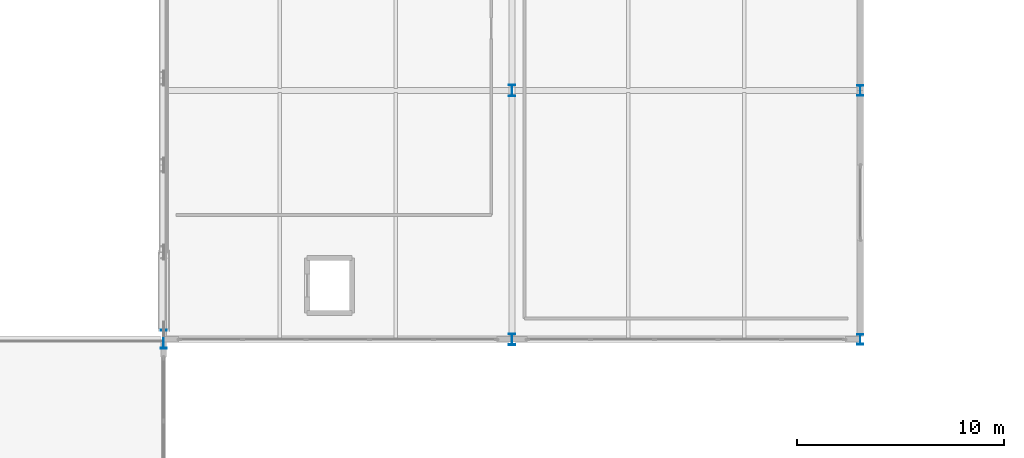
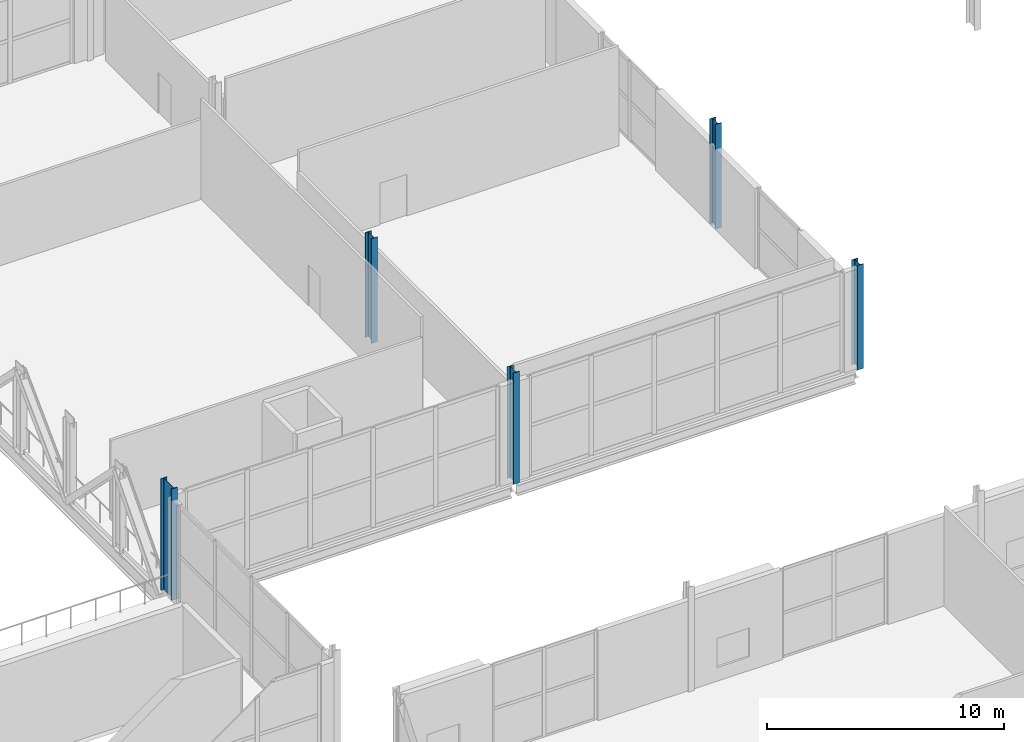
# One storey, part 11 of 84: 5 columns.
"""IFC4 building model written with IfcOpenShell, lengths in metres."""

from ifc_helpers import new_model, si_unit, direction, frame, origin, origin_2d, place, context, subcontext, project, spatial, i_section, extrude, material, material_profile, profile_set, type_object, element, save


model = new_model("IFC4")

# Units and contexts
model_context = context("Model", 3, precision=1e-05, world=origin(), true_north=direction((0.0, 1.0)))
body_context = subcontext(model_context, "Body", "Model", "MODEL_VIEW")
ifc_project = project(units=[si_unit("LENGTHUNIT", "METRE"), si_unit("AREAUNIT", "SQUARE_METRE"), si_unit("VOLUMEUNIT", "CUBIC_METRE"), si_unit("PLANEANGLEUNIT", "RADIAN"), si_unit("MASSUNIT", "GRAM", prefix="KILO")], contexts=[model_context])

# Site, building, storey
site_placement = place(None, origin())
site = spatial("IfcSite", under=ifc_project, at=site_placement, CompositionType="ELEMENT")
building_placement = place(site_placement, origin())
building = spatial("IfcBuilding", under=site, at=building_placement, Name="Kimbaza Rail Terminus", CompositionType="ELEMENT")
storey_placement = place(building_placement, frame((0.0, 0.0, 5.39990234375)))
storey = spatial("IfcBuildingStorey", under=building, at=storey_placement, Name="L01", CompositionType="ELEMENT", Elevation=5.39990234375)

# Columns
ifc_material_1 = material(Name="Steel S355", Category="steel")
ifc_material_profile_1 = material_profile(ifc_material_1, i_section(OverallWidth=0.300048828125, OverallDepth=0.5, WebThickness=0.014404296875, FlangeThickness=0.028076171875, FilletRadius=0.027099609375, at=origin_2d()), Name="HEB 500")
ifc_profile_set_1 = profile_set([ifc_material_profile_1], Name="Steel S355")
column_type_1 = type_object("IfcColumnType", Name="STR-COL-HEB500", PredefinedType="COLUMN", material=ifc_profile_set_1)
for number, where, z_axis, x_axis, name in (
    (1, (189.60009765625, 55.0, 0.0), (0.0, 0.0, 1.0), (1.0, 0.0, 0.0), "Concourse Outer Wing Column L01"),
    (2, (189.60009765625, 67.0, 0.0), (0.0, 0.0, 1.0), (1.0, 0.0, 0.0), "Concourse Outer Wing Column L01"),
):
    element("IfcColumn", number, at=place(storey_placement, frame(where, z_axis=z_axis, x_axis=x_axis)), inside=storey, type_object=column_type_1, Name=name, PredefinedType="COLUMN", context=body_context, shape_type="SweptSolid", body=[
        extrude(i_section(OverallWidth=0.300048828125, OverallDepth=0.5, WebThickness=0.014404296875, FlangeThickness=0.028076171875, FilletRadius=0.027099609375, at=origin_2d()), origin(), (0.0, 0.0, 1.0), 5.400146484375),
    ])
ifc_material_2 = material(Name="Steel S355", Category="steel")
ifc_material_profile_2 = material_profile(ifc_material_2, i_section(OverallWidth=0.300048828125, OverallDepth=0.550048828125, WebThickness=0.014892578125, FlangeThickness=0.029052734375, FilletRadius=0.027099609375, at=origin_2d()), Name="HEB 550")
ifc_profile_set_2 = profile_set([ifc_material_profile_2], Name="Steel S355")
column_type_2 = type_object("IfcColumnType", Name="STR-COL-HEB550", PredefinedType="COLUMN", material=ifc_profile_set_2)
column_1_placement = place(storey_placement, frame((172.800048828125, 55.0, 0.0), z_axis=(0.0, 0.0, 1.0), x_axis=(1.0, 0.0, 0.0)))
element("IfcColumn", 3, at=column_1_placement, inside=storey, type_object=column_type_2, Name="Ticket Hall Pier L01", PredefinedType="COLUMN", context=body_context, shape_type="SweptSolid", body=[
    extrude(i_section(OverallWidth=0.300048828125, OverallDepth=0.550048828125, WebThickness=0.014892578125, FlangeThickness=0.029052734375, FilletRadius=0.027099609375, at=origin_2d()), origin(), (0.0, 0.0, 1.0), 5.75),
])
column_2_placement = place(storey_placement, frame((172.800048828125, 67.0, 0.0), z_axis=(0.0, 0.0, 1.0), x_axis=(1.0, 0.0, 0.0)))
element("IfcColumn", 4, at=column_2_placement, inside=storey, type_object=column_type_2, Name="Flank Concourse Column L01", PredefinedType="COLUMN", context=body_context, shape_type="SweptSolid", body=[
    extrude(i_section(OverallWidth=0.300048828125, OverallDepth=0.550048828125, WebThickness=0.014892578125, FlangeThickness=0.029052734375, FilletRadius=0.027099609375, at=origin_2d()), origin(), (0.0, 0.0, 1.0), 5.400146484375),
])
ifc_material_3 = material(Name="Steel S355", Category="steel")
ifc_material_profile_3 = material_profile(ifc_material_3, i_section(OverallWidth=0.302001953125, OverallDepth=0.909912109375, WebThickness=0.02099609375, FlangeThickness=0.0400390625, FilletRadius=0.030029296875, at=origin_2d()), Name="HEM 900")
ifc_profile_set_3 = profile_set([ifc_material_profile_3], Name="Steel S355")
column_type_3 = type_object("IfcColumnType", Name="STR-COL-HEM900", PredefinedType="COLUMN", material=ifc_profile_set_3)
column_3_placement = place(storey_placement, frame((156.0, 55.0, 0.0), z_axis=(0.0, 0.0, 1.0), x_axis=(1.0, 0.0, 0.0)))
element("IfcColumn", 5, at=column_3_placement, inside=storey, type_object=column_type_3, Name="Ticket Hall Pier L01", PredefinedType="COLUMN", context=body_context, shape_type="SweptSolid", body=[
    extrude(i_section(OverallWidth=0.302001953125, OverallDepth=0.909912109375, WebThickness=0.02099609375, FlangeThickness=0.0400390625, FilletRadius=0.030029296875, at=origin_2d()), origin(), (0.0, 0.0, 1.0), 5.75),
])

save(model, "model.ifc")
